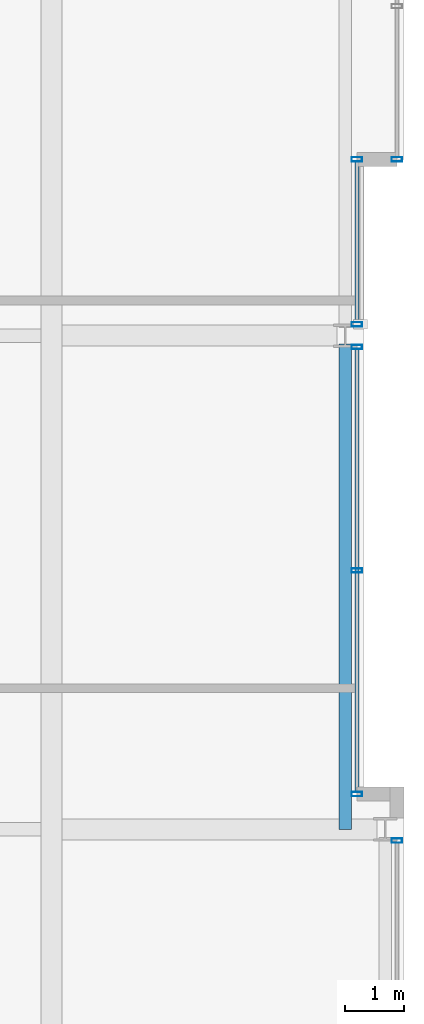
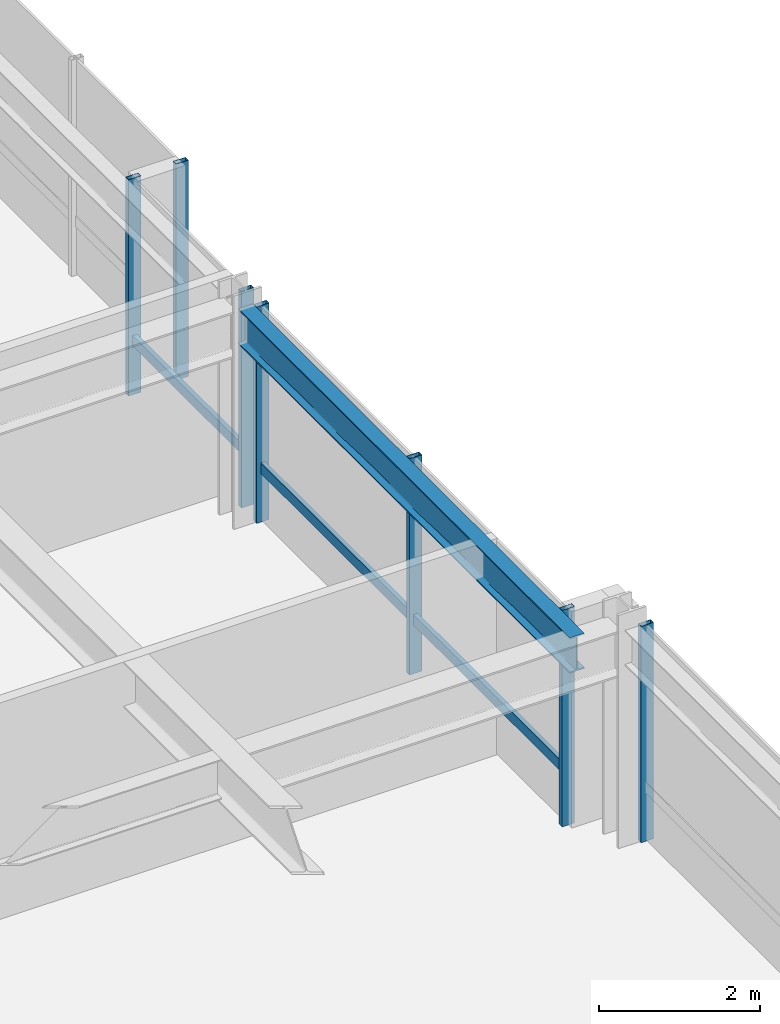
# One storey, part 15 of 32: 9 members, 1 beam, 4 elements without a shape of their own.
"""IFC4 building model written with IfcOpenShell, lengths in metres."""

import ifcopenshell
import ifcopenshell.guid

model = None  # the IFC model being written
_history = None  # IfcOwnerHistory: only IFC2X3 demands one
_inside = {}  # id of a spatial element -> (the spatial element, [elements in it])
_under = {}  # id of a project, library or spatial element -> (it, [spatial elements below it])
_declared = {}  # id of a project -> (the project, [libraries it declares])
_typed = {}  # id of a type object -> (the type object, [elements of that type])
_made_of = {}  # id of a material, layer set ... -> (it, [elements and type objects made of it])


def new_model(schema):
    """Start an empty IFC model of exactly this schema.

    Asked for "IFC4X3", IfcOpenShell would pick the latest addendum, in which some entities
    have other attributes; the version numbers below select the first issue.
    IFC2X3 requires an IfcOwnerHistory on every rooted entity: one is made here for all.
    """
    global model, _history
    if schema == "IFC4X3":
        model = ifcopenshell.file(schema_version=(4, 3, 0, 0))
    else:
        model = ifcopenshell.file(schema=schema)
    _inside.clear()
    _under.clear()
    _declared.clear()
    _typed.clear()
    _made_of.clear()
    _history = None
    if model.schema == "IFC2X3":
        org = make("IfcOrganization", Name="unknown")
        user = make(
            "IfcPersonAndOrganization",
            ThePerson=make("IfcPerson", FamilyName="unknown"),
            TheOrganization=org,
        )
        app = make(
            "IfcApplication",
            ApplicationDeveloper=org,
            Version="unknown",
            ApplicationFullName="unknown",
            ApplicationIdentifier="unknown",
        )
        _history = make(
            "IfcOwnerHistory",
            OwningUser=user,
            OwningApplication=app,
            ChangeAction="ADDED",
            CreationDate=0,
        )
    return model


def make(cls, **values):
    """One entity of the class cls with the attributes given. An attribute that is None is left unset."""
    return model.create_entity(
        cls, **{name: value for name, value in values.items() if value is not None}
    )


def rooted(cls, **values):
    """An entity with a GlobalId (a new one), such as an element, a storey or a relation."""
    return make(cls, GlobalId=ifcopenshell.guid.new(), OwnerHistory=_history, **values)


def si_unit(unit_type, name, prefix=None):
    """IfcSIUnit, for example si_unit("LENGTHUNIT", "METRE", prefix="MILLI")."""
    return make("IfcSIUnit", UnitType=unit_type, Prefix=prefix, Name=name)


def assignment(units):
    """IfcUnitAssignment: the units of a project."""
    return None if units is None else make("IfcUnitAssignment", Units=units)


def point(xyz):
    """IfcCartesianPoint."""
    return None if xyz is None else make("IfcCartesianPoint", Coordinates=xyz)


def direction(xyz):
    """IfcDirection."""
    return None if xyz is None else make("IfcDirection", DirectionRatios=xyz)


def frame(location, z_axis=None, x_axis=None):
    """IfcAxis2Placement3D, a coordinate frame: its origin and axes. An axis left out is left unset."""
    return make(
        "IfcAxis2Placement3D",
        Location=point(location),
        Axis=direction(z_axis),
        RefDirection=direction(x_axis),
    )


def frame_2d(location, x_axis=None):
    """IfcAxis2Placement2D, a coordinate frame in the plane: its origin and x axis."""
    return make(
        "IfcAxis2Placement2D", Location=point(location), RefDirection=direction(x_axis)
    )


def origin():
    """The frame at (0, 0, 0) with its axes left unset."""
    return frame((0.0, 0.0, 0.0))


def origin_2d():
    """The frame at (0, 0) in the plane with its x axis left unset."""
    return frame_2d((0.0, 0.0))


def place(relative_to, where):
    """IfcLocalPlacement: puts the frame where relative to a parent placement (None: the world)."""
    return make(
        "IfcLocalPlacement", PlacementRelTo=relative_to, RelativePlacement=where
    )


def context(
    kind, dimensions, precision=None, world=None, true_north=None, identifier=None
):
    """IfcGeometricRepresentationContext, for example the 3D "Model" context."""
    return make(
        "IfcGeometricRepresentationContext",
        ContextIdentifier=identifier,
        ContextType=kind,
        CoordinateSpaceDimension=dimensions,
        Precision=precision,
        WorldCoordinateSystem=world,
        TrueNorth=true_north,
    )


def subcontext(parent, identifier, kind, view, scale=None):
    """IfcGeometricRepresentationSubContext, for example "Body" below "Model"."""
    return make(
        "IfcGeometricRepresentationSubContext",
        ContextIdentifier=identifier,
        ContextType=kind,
        ParentContext=parent,
        TargetScale=scale,
        TargetView=view,
    )


def project(units=None, contexts=None):
    """IfcProject with its units and contexts."""
    return rooted(
        "IfcProject",
        Name="project",
        RepresentationContexts=contexts,
        UnitsInContext=assignment(units),
    )


def spatial(cls, under=None, at=None, **own):
    """A site, building, storey or space (cls), placed at a placement, below another one or the project."""
    s = rooted(cls, ObjectPlacement=at, **own)
    if under is not None:
        _under.setdefault(under.id(), (under, []))[1].append(s)
    return s


def profile(cls, at=None, kind="AREA", **sizes):
    """A parametric profile (cls). Its sizes go by their IFC names, for example OverallWidth=200.0."""
    return make(cls, ProfileType=kind, Position=at, **sizes)


def hollow_rectangle(**sizes):
    """IfcRectangleHollowProfileDef."""
    return profile("IfcRectangleHollowProfileDef", **sizes)


def i_section(**sizes):
    """IfcIShapeProfileDef."""
    return profile("IfcIShapeProfileDef", **sizes)


def extrude(swept, where, along, depth):
    """IfcExtrudedAreaSolid: the profile swept, set in the frame where, extruded along a direction by depth."""
    return make(
        "IfcExtrudedAreaSolid",
        SweptArea=swept,
        Position=where,
        ExtrudedDirection=direction(along),
        Depth=depth,
    )


def shape(context_of_items, identifier, shape_type, items):
    """IfcShapeRepresentation: the items that make up one representation, for example the "Body"."""
    return make(
        "IfcShapeRepresentation",
        ContextOfItems=context_of_items,
        RepresentationIdentifier=identifier,
        RepresentationType=shape_type,
        Items=items,
    )


def material(Name=None, Category=None):
    """IfcMaterial."""
    return make("IfcMaterial", Name=Name, Category=Category)


def layer(
    of_material, thickness, ventilated=None, Name=None, Category=None, Priority=None
):
    """IfcMaterialLayer: one layer of a wall or slab, of a material (None: an air gap)."""
    return make(
        "IfcMaterialLayer",
        Material=of_material,
        LayerThickness=thickness,
        IsVentilated=ventilated,
        Name=Name,
        Category=Category,
        Priority=Priority,
    )


def layer_set(layers, Name=None):
    """IfcMaterialLayerSet."""
    return make("IfcMaterialLayerSet", MaterialLayers=layers, LayerSetName=Name)


def material_profile(
    of_material, cross_section, Name=None, Category=None, Priority=None
):
    """IfcMaterialProfile: a cross section and its material."""
    return make(
        "IfcMaterialProfile",
        Name=Name,
        Material=of_material,
        Profile=cross_section,
        Priority=Priority,
        Category=Category,
    )


def profile_set(profiles, Name=None, composite=None):
    """IfcMaterialProfileSet."""
    return make(
        "IfcMaterialProfileSet",
        Name=Name,
        MaterialProfiles=profiles,
        CompositeProfile=composite,
    )


def made_of(thing, what):
    """Note that an element or type object is made of a material, layer set ...; save() writes the relation."""
    if what is not None:
        _made_of.setdefault(what.id(), (what, []))[1].append(thing)
    return thing


def type_object(cls, material=None, **own):
    """A type object (cls), such as IfcWallType, which elements share."""
    return made_of(rooted(cls, **own), material)


def element(
    cls,
    number,
    at=None,
    inside=None,
    cuts=None,
    type_object=None,
    material=None,
    context=None,
    identifier="Body",
    shape_type=None,
    held_by="IfcProductDefinitionShape",
    body=None,
    shapes=None,
    **own,
):
    """One element of the class cls, such as IfcWall. Its Tag is "e" and its number.

    at: its placement. inside: the storey or other place that contains it. cuts: it is an
    opening in that element (IfcRelVoidsElement). A single representation is given by context,
    identifier, shape_type and body (its items); several are given by shapes. held_by: the class
    of the entity that holds the representations. save() writes the other relations.
    """
    e = rooted(cls, Tag="e%d" % number, ObjectPlacement=at, **own)
    if body is not None:
        shapes = [shape(context, identifier, shape_type, body)]
    if shapes is not None:
        e.Representation = make(held_by, Representations=shapes)
    if inside is not None:
        _inside.setdefault(inside.id(), (inside, []))[1].append(e)
    if cuts is not None:
        rooted(
            "IfcRelVoidsElement", RelatingBuildingElement=cuts, RelatedOpeningElement=e
        )
    if type_object is not None:
        _typed.setdefault(type_object.id(), (type_object, []))[1].append(e)
    return made_of(e, material)


def aggregate(whole, parts):
    """IfcRelAggregates: a whole, such as a stair, and the parts it consists of."""
    return rooted("IfcRelAggregates", RelatingObject=whole, RelatedObjects=parts)


def save(model, path):
    """Write the relations noted so far, then the file.

    IfcRelAggregates (storeys below a building ...), IfcRelContainedInSpatialStructure (elements
    in a storey), IfcRelDefinesByType, IfcRelAssociatesMaterial and IfcRelDeclares: one each for
    every whole, place, type object, material and project.
    """
    for whole, parts in _under.values():
        aggregate(whole, parts)
    for where, things in _inside.values():
        rooted(
            "IfcRelContainedInSpatialStructure",
            RelatedElements=things,
            RelatingStructure=where,
        )
    for kind, things in _typed.values():
        rooted("IfcRelDefinesByType", RelatedObjects=things, RelatingType=kind)
    for what, things in _made_of.values():
        rooted("IfcRelAssociatesMaterial", RelatedObjects=things, RelatingMaterial=what)
    for by, libraries in _declared.values():
        rooted("IfcRelDeclares", RelatingContext=by, RelatedDefinitions=libraries)
    model.write(path)


model = new_model("IFC4")

# Units and contexts
model_context = context("Model", 3, precision=1e-05, world=origin(), true_north=direction((0.0, 1.0)))
body_context = subcontext(model_context, "Body", "Model", "MODEL_VIEW")
ifc_project = project(units=[si_unit("LENGTHUNIT", "METRE"), si_unit("AREAUNIT", "SQUARE_METRE"), si_unit("VOLUMEUNIT", "CUBIC_METRE"), si_unit("PLANEANGLEUNIT", "RADIAN"), si_unit("MASSUNIT", "GRAM", prefix="KILO")], contexts=[model_context])

# Site, building, storey
site_placement = place(None, origin())
site = spatial("IfcSite", under=ifc_project, at=site_placement, CompositionType="ELEMENT")
building_placement = place(site_placement, origin())
building = spatial("IfcBuilding", under=site, at=building_placement, Name="Drelvath Grand Hotel", CompositionType="ELEMENT")
storey_placement = place(building_placement, frame((0.0, 0.0, 182.35009765625)))
storey = spatial("IfcBuildingStorey", under=building, at=storey_placement, Name="L47", CompositionType="ELEMENT", Elevation=182.35009765625)

# Curtain wall, member
ifc_material_1 = material(Name="Brushed Pale-Silver Anodised Aluminium Frame", Category="aluminium")
ifc_layer = layer(ifc_material_1, 0.199951171875)
ifc_layer_set = layer_set([ifc_layer], Name="Brushed Pale-Silver Anodised Aluminium Frame")
curtain_wall_type = type_object("IfcCurtainWallType", Name="Stick Curtain Wall CW-04 Brushed Silver Upper-Mid", PredefinedType="NOTDEFINED", material=ifc_layer_set)
curtain_wall_1_placement = place(storey_placement, origin())
curtain_wall_1 = element("IfcCurtainWall", 1, at=curtain_wall_1_placement, inside=storey, type_object=curtain_wall_type, Name="L47 CW-04 Curtain Wall CW04-L47-EM1", PredefinedType="NOTDEFINED")
ifc_material_profile_1 = material_profile(ifc_material_1, hollow_rectangle(XDim=0.06494140625, YDim=0.159912109375, WallThickness=0.00390625, at=origin_2d()), Name="HSS160X65X4")
ifc_profile_set_1 = profile_set([ifc_material_profile_1], Name="Brushed Pale-Silver Anodised Aluminium Frame")
member_type_1 = type_object("IfcMemberType", Name="Curtain Wall Horizontal Transom CW-04 HSS160X65X4", PredefinedType="USERDEFINED", material=ifc_profile_set_1)
member_1_placement = place(storey_placement, frame((21.39990234375, 26.768310546875, 0.822509765625), z_axis=(0.0, -1.0, 0.0), x_axis=(1.0, 0.0, 0.0)))
member_1 = element("IfcMember", 2, at=member_1_placement, type_object=member_type_1, Name="CW04-L47-EM1 Sill Transom", ObjectType="TRANSOM", PredefinedType="USERDEFINED", context=body_context, shape_type="SweptSolid", body=[
    extrude(hollow_rectangle(XDim=0.06494140625, YDim=0.159912109375, WallThickness=0.00390625, at=origin_2d()), origin(), (0.0, 0.0, 1.0), 7.5283203125),
])

curtain_wall_2_placement = place(storey_placement, origin())
curtain_wall_2 = element("IfcCurtainWall", 3, at=curtain_wall_2_placement, inside=storey, type_object=curtain_wall_type, Name="L47 CW-04 Curtain Wall CW04-L47-EM2", PredefinedType="NOTDEFINED")
member_2_placement = place(storey_placement, frame((21.39990234375, 29.9599609375, 0.822509765625), z_axis=(0.0, -1.0, 0.0), x_axis=(1.0, 0.0, 0.0)))
member_2 = element("IfcMember", 4, at=member_2_placement, type_object=member_type_1, Name="CW04-L47-EM2 Sill Transom", ObjectType="TRANSOM", PredefinedType="USERDEFINED", context=body_context, shape_type="SweptSolid", body=[
    extrude(hollow_rectangle(XDim=0.06494140625, YDim=0.159912109375, WallThickness=0.00390625, at=origin_2d()), origin(), (0.0, 0.0, 1.0), 2.728271484375),
])

curtain_wall_3_placement = place(storey_placement, origin())
curtain_wall_3 = element("IfcCurtainWall", 5, at=curtain_wall_3_placement, inside=storey, type_object=curtain_wall_type, Name="L47 CW-04 Curtain Wall CW04-L47-EN1", PredefinedType="NOTDEFINED")
ifc_material_profile_2 = material_profile(ifc_material_1, hollow_rectangle(XDim=0.074951171875, YDim=0.179931640625, WallThickness=0.0048828125, at=origin_2d()), Name="HSS180X75X5")
ifc_profile_set_2 = profile_set([ifc_material_profile_2], Name="Brushed Pale-Silver Anodised Aluminium Frame")
member_type_2 = type_object("IfcMemberType", Name="Curtain Wall Vertical Mullion CW-04 HSS180X75X5", PredefinedType="MULLION", material=ifc_profile_set_2)
member_3_placement = place(storey_placement, frame((22.080078125, 30.0, 0.0), z_axis=(0.0, 0.0, 1.0), x_axis=(0.0, 1.0, 0.0)))
member_3 = element("IfcMember", 6, at=member_3_placement, type_object=member_type_2, Name="CW04-L47-EN1 Mullion 3", PredefinedType="MULLION", context=body_context, shape_type="SweptSolid", body=[
    extrude(hollow_rectangle(XDim=0.074951171875, YDim=0.179931640625, WallThickness=0.0048828125, at=origin_2d()), origin(), (0.0, 0.0, 1.0), 3.289794921875),
])
aggregate(curtain_wall_3, [member_3])

# Member
member_4_placement = place(storey_placement, frame((21.39990234375, 26.808349609375, 0.0), z_axis=(0.0, 0.0, 1.0), x_axis=(0.0, 1.0, 0.0)))
member_4 = element("IfcMember", 7, at=member_4_placement, type_object=member_type_2, Name="CW04-L47-EM1 Mullion 1", PredefinedType="MULLION", context=body_context, shape_type="SweptSolid", body=[
    extrude(hollow_rectangle(XDim=0.074951171875, YDim=0.179931640625, WallThickness=0.0048828125, at=origin_2d()), origin(), (0.0, 0.0, 1.0), 3.289794921875),
])

member_5_placement = place(storey_placement, frame((21.39990234375, 23.004150390625, 0.0), z_axis=(0.0, 0.0, 1.0), x_axis=(0.0, 1.0, 0.0)))
member_5 = element("IfcMember", 8, at=member_5_placement, type_object=member_type_2, Name="CW04-L47-EM1 Mullion 2", PredefinedType="MULLION", context=body_context, shape_type="SweptSolid", body=[
    extrude(hollow_rectangle(XDim=0.074951171875, YDim=0.179931640625, WallThickness=0.0048828125, at=origin_2d()), origin(), (0.0, 0.0, 1.0), 3.289794921875),
])

member_6_placement = place(storey_placement, frame((21.39990234375, 19.199951171875, 0.0), z_axis=(0.0, 0.0, 1.0), x_axis=(0.0, 1.0, 0.0)))
member_6 = element("IfcMember", 9, at=member_6_placement, type_object=member_type_2, Name="CW04-L47-EM1 Mullion 3", PredefinedType="MULLION", context=body_context, shape_type="SweptSolid", body=[
    extrude(hollow_rectangle(XDim=0.074951171875, YDim=0.179931640625, WallThickness=0.0048828125, at=origin_2d()), origin(), (0.0, 0.0, 1.0), 3.289794921875),
])

aggregate(curtain_wall_1, [member_4, member_5, member_6, member_1])

member_7_placement = place(storey_placement, frame((21.39990234375, 30.0, 0.0), z_axis=(0.0, 0.0, 1.0), x_axis=(0.0, 1.0, 0.0)))
member_7 = element("IfcMember", 10, at=member_7_placement, type_object=member_type_2, Name="CW04-L47-EM2 Mullion 1", PredefinedType="MULLION", context=body_context, shape_type="SweptSolid", body=[
    extrude(hollow_rectangle(XDim=0.074951171875, YDim=0.179931640625, WallThickness=0.0048828125, at=origin_2d()), origin(), (0.0, 0.0, 1.0), 3.289794921875),
])

member_8_placement = place(storey_placement, frame((21.39990234375, 27.191650390625, 0.0), z_axis=(0.0, 0.0, 1.0), x_axis=(0.0, 1.0, 0.0)))
member_8 = element("IfcMember", 11, at=member_8_placement, type_object=member_type_2, Name="CW04-L47-EM2 Mullion 2", PredefinedType="MULLION", context=body_context, shape_type="SweptSolid", body=[
    extrude(hollow_rectangle(XDim=0.074951171875, YDim=0.179931640625, WallThickness=0.0048828125, at=origin_2d()), origin(), (0.0, 0.0, 1.0), 3.289794921875),
])

aggregate(curtain_wall_2, [member_7, member_8, member_2])

# Curtain wall, member
curtain_wall_4_placement = place(storey_placement, origin())
curtain_wall_4 = element("IfcCurtainWall", 12, at=curtain_wall_4_placement, inside=storey, type_object=curtain_wall_type, Name="L47 CW-04 Curtain Wall CW04-L47-ES2", PredefinedType="NOTDEFINED")
member_9_placement = place(storey_placement, frame((22.080078125, 18.408447265625, 0.0), z_axis=(0.0, 0.0, 1.0), x_axis=(0.0, 1.0, 0.0)))
member_9 = element("IfcMember", 13, at=member_9_placement, type_object=member_type_2, Name="CW04-L47-ES2 Mullion 1", PredefinedType="MULLION", context=body_context, shape_type="SweptSolid", body=[
    extrude(hollow_rectangle(XDim=0.074951171875, YDim=0.179931640625, WallThickness=0.0048828125, at=origin_2d()), origin(), (0.0, 0.0, 1.0), 3.289794921875),
])
aggregate(curtain_wall_4, [member_9])

# Beam
ifc_material_2 = material(Name="Steel ASTM A992 Gr 50", Category="steel")
ifc_material_profile_3 = material_profile(ifc_material_2, i_section(OverallWidth=0.210205078125, OverallDepth=0.53662109375, WebThickness=0.010986328125, FlangeThickness=0.017333984375, FilletRadius=0.01806640625, at=origin_2d()), Name="W21X68")
ifc_profile_set_3 = profile_set([ifc_material_profile_3], Name="Steel ASTM A992 Gr 50")
beam_type = type_object("IfcBeamType", Name="Perimeter Spandrel Beam W21X68", PredefinedType="SPANDREL", material=ifc_profile_set_3)
beam_placement = place(storey_placement, frame((21.199951171875, 18.60009765625, 3.021484375), z_axis=(0.0, 1.0, 0.0), x_axis=(-1.0, 0.0, 0.0)))
element("IfcBeam", 14, at=beam_placement, inside=storey, type_object=beam_type, Name="L47 Spandrel East Mid S", PredefinedType="SPANDREL", context=body_context, shape_type="SweptSolid", body=[
    extrude(i_section(OverallWidth=0.210205078125, OverallDepth=0.53662109375, WebThickness=0.010986328125, FlangeThickness=0.017333984375, FilletRadius=0.01806640625, at=origin_2d()), origin(), (0.0, 0.0, 1.0), 8.260009765625),
])

save(model, "model.ifc")
